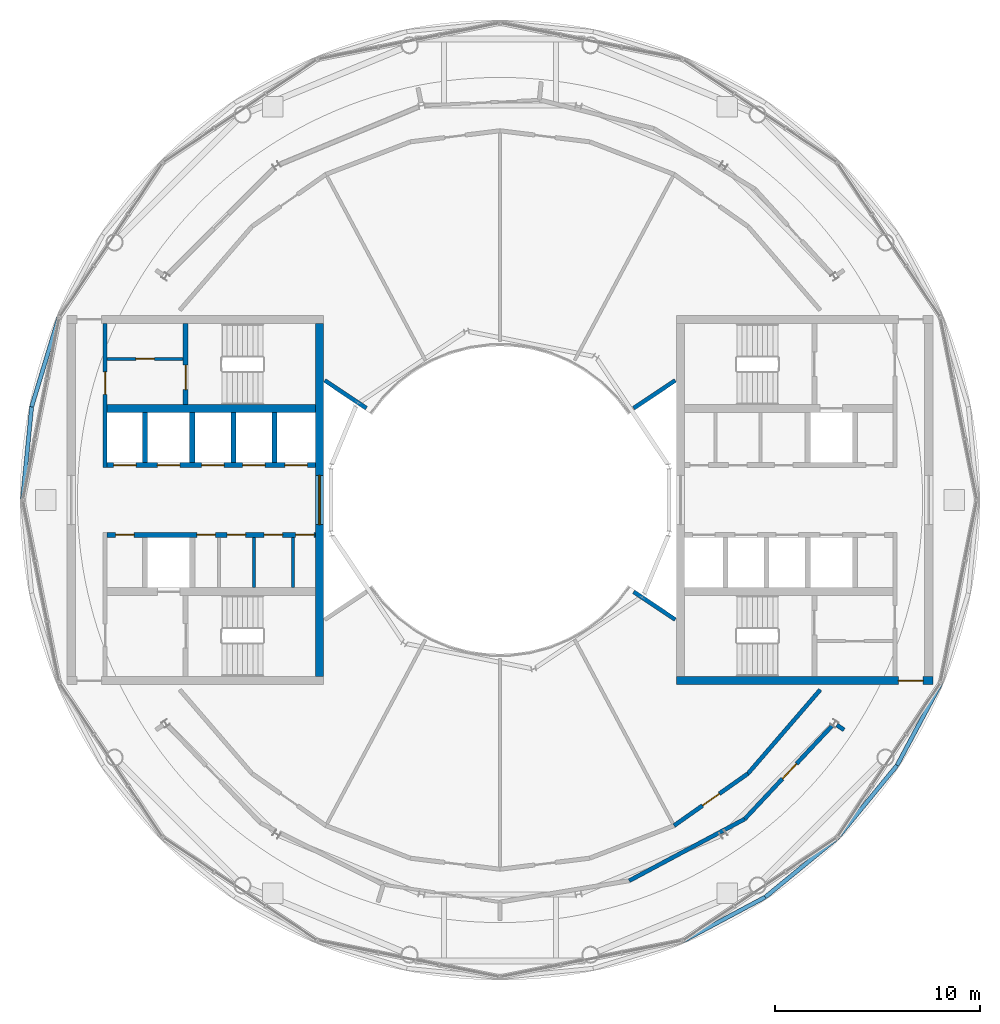
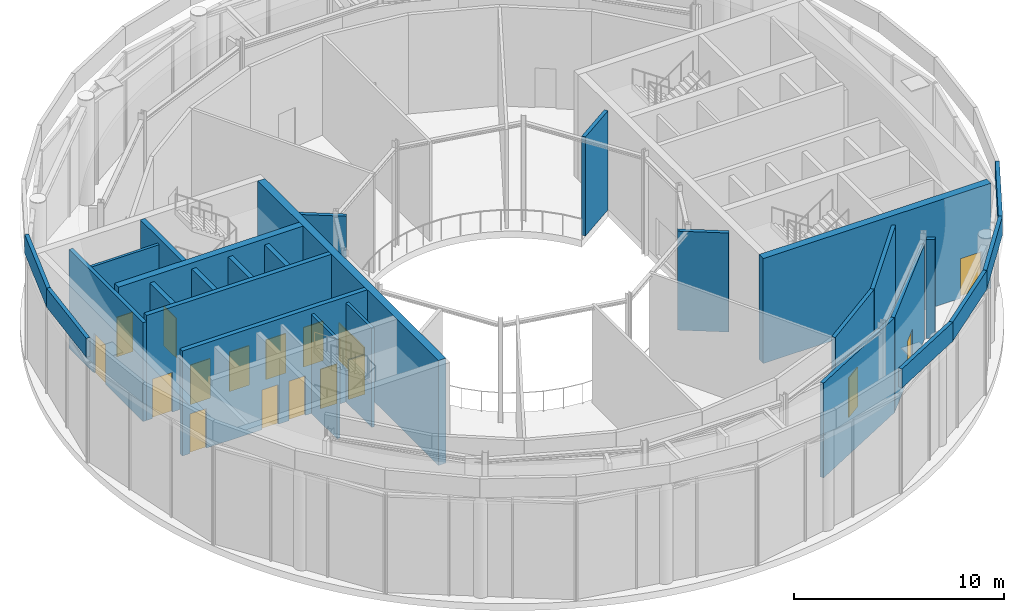
# One storey, part 12 of 20: 28 walls, 16 doors, 1 window, 17 openings.
"""IFC4 building model written with IfcOpenShell, lengths in metres."""

from ifc_helpers import new_model, si_unit, direction, frame, frame_2d, origin, place, context, subcontext, project, spatial, rectangle, extrude, material, layer, layer_set, type_object, element, fill, save


model = new_model("IFC4")

# Units and contexts
model_context = context("Model", 3, precision=1e-05, world=origin(), true_north=direction((0.0, 1.0)))
body_context = subcontext(model_context, "Body", "Model", "MODEL_VIEW")
ifc_project = project(units=[si_unit("LENGTHUNIT", "METRE"), si_unit("AREAUNIT", "SQUARE_METRE"), si_unit("VOLUMEUNIT", "CUBIC_METRE"), si_unit("PLANEANGLEUNIT", "RADIAN"), si_unit("MASSUNIT", "GRAM", prefix="KILO")], contexts=[model_context])

# Site, building, storey
site_placement = place(None, origin())
site = spatial("IfcSite", under=ifc_project, at=site_placement, CompositionType="ELEMENT")
building_placement = place(site_placement, origin())
building = spatial("IfcBuilding", under=site, at=building_placement, Name="Maasbend Ring Residences", CompositionType="ELEMENT")
storey_placement = place(building_placement, frame((0.0, 0.0, 255.39990234375)))
storey = spatial("IfcBuildingStorey", under=building, at=storey_placement, Name="L74", CompositionType="ELEMENT", Elevation=255.39990234375)

# Wall, openings, doors
ifc_material_1 = material(Name="Concrete C50/60", Category="concrete")
ifc_layer_1 = layer(ifc_material_1, 0.25)
ifc_layer_set_1 = layer_set([ifc_layer_1], Name="Concrete C50/60")
wall_type_1 = type_object("IfcWallType", Name="CORE WALL 250 C50/60", PredefinedType="SHEAR", material=ifc_layer_set_1)
wall_1_placement = place(storey_placement, frame((-9.0, -1.699951171875, 0.0), z_axis=(0.0, 0.0, 1.0), x_axis=(-1.0, 0.0, 0.0)))
wall_1 = element("IfcWall", 1, at=wall_1_placement, inside=storey, type_object=wall_type_1, Name="L74 core W wall SPN", PredefinedType="SHEAR", context=body_context, shape_type="SweptSolid", body=[
    extrude(rectangle(XDim=10.14990234375, YDim=0.25, at=frame_2d((5.074951171875, 0.0))), origin(), (0.0, 0.0, 1.0), 6.10009765625),
])
opening_1_placement = place(wall_1_placement, frame((0.0625, 0.0, 0.0)))
opening_1 = element("IfcOpeningElement", 2, at=opening_1_placement, cuts=wall_1, Name="Opening D-W7407", PredefinedType="OPENING", context=body_context, shape_type="SweptSolid", body=[
    extrude(rectangle(XDim=0.89990234375, YDim=2.300048828125, at=frame_2d((0.449951171875, 1.14990234375))), frame((0.0, 0.135009765625, 0.0), z_axis=(0.0, -1.0, 0.0), x_axis=(1.0, 0.0, 0.0)), (0.0, 0.0, 1.0), 0.27001953125),
])
opening_2_placement = place(wall_1_placement, frame((1.60009765625, 0.0, 0.0)))
opening_2 = element("IfcOpeningElement", 3, at=opening_2_placement, cuts=wall_1, Name="Opening D-W7408", PredefinedType="OPENING", context=body_context, shape_type="SweptSolid", body=[
    extrude(rectangle(XDim=0.89990234375, YDim=2.300048828125, at=frame_2d((0.449951171875, 1.14990234375))), frame((0.0, 0.135009765625, 0.0), z_axis=(0.0, -1.0, 0.0), x_axis=(1.0, 0.0, 0.0)), (0.0, 0.0, 1.0), 0.27001953125),
])
opening_3_placement = place(wall_1_placement, frame((3.39990234375, 0.0, 0.0)))
opening_3 = element("IfcOpeningElement", 4, at=opening_3_placement, cuts=wall_1, Name="Opening D-W7409", PredefinedType="OPENING", context=body_context, shape_type="SweptSolid", body=[
    extrude(rectangle(XDim=0.89990234375, YDim=2.300048828125, at=frame_2d((0.449951171875, 1.14990234375))), frame((0.0, 0.135009765625, 0.0), z_axis=(0.0, -1.0, 0.0), x_axis=(1.0, 0.0, 0.0)), (0.0, 0.0, 1.0), 0.27001953125),
])
opening_4_placement = place(wall_1_placement, frame((4.875, 0.0, 0.0)))
opening_4 = element("IfcOpeningElement", 5, at=opening_4_placement, cuts=wall_1, Name="Opening D-W7410", PredefinedType="OPENING", context=body_context, shape_type="SweptSolid", body=[
    extrude(rectangle(XDim=0.89990234375, YDim=2.300048828125, at=frame_2d((0.449951171875, 1.14990234375))), frame((0.0, 0.135009765625, 0.0), z_axis=(0.0, -1.0, 0.0), x_axis=(1.0, 0.0, 0.0)), (0.0, 0.0, 1.0), 0.27001953125),
])
opening_5_placement = place(wall_1_placement, frame((8.83740234375, 0.0, 0.0)))
opening_5 = element("IfcOpeningElement", 6, at=opening_5_placement, cuts=wall_1, Name="Opening D-W7411", PredefinedType="OPENING", context=body_context, shape_type="SweptSolid", body=[
    extrude(rectangle(XDim=0.89990234375, YDim=2.300048828125, at=frame_2d((0.449951171875, 1.14990234375))), frame((0.0, 0.135009765625, 0.0), z_axis=(0.0, -1.0, 0.0), x_axis=(1.0, 0.0, 0.0)), (0.0, 0.0, 1.0), 0.27001953125),
])
ifc_material_2 = material(Name="Steel, powder coated", Category="steel")
door_type_1 = type_object("IfcDoorType", Name="ROOM DOOR 900 X 2300 FD30S", OperationType="NOTDEFINED", PredefinedType="DOOR", material=ifc_material_2)
door_1_placement = place(opening_1_placement, origin())
door_1 = element("IfcDoor", 7, at=door_1_placement, inside=storey, type_object=door_type_1, Name="Room door L74", OperationType="SINGLE_SWING_RIGHT", OverallHeight=2.300048828125, OverallWidth=0.89990234375, PredefinedType="DOOR", context=body_context, shape_type="SweptSolid", body=[
    extrude(rectangle(XDim=0.89990234375, YDim=2.300048828125, at=frame_2d((0.449951171875, 1.14990234375))), frame((0.0, 0.02490234375, 0.0), z_axis=(0.0, -1.0, 0.0), x_axis=(1.0, 0.0, 0.0)), (0.0, 0.0, 1.0), 0.050048828125),
])
fill(opening_1, door_1)
door_2_placement = place(opening_2_placement, origin())
door_2 = element("IfcDoor", 8, at=door_2_placement, inside=storey, type_object=door_type_1, Name="Room door L74", OperationType="SINGLE_SWING_RIGHT", OverallHeight=2.300048828125, OverallWidth=0.89990234375, PredefinedType="DOOR", context=body_context, shape_type="SweptSolid", body=[
    extrude(rectangle(XDim=0.89990234375, YDim=2.300048828125, at=frame_2d((0.449951171875, 1.14990234375))), frame((0.0, 0.02490234375, 0.0), z_axis=(0.0, -1.0, 0.0), x_axis=(1.0, 0.0, 0.0)), (0.0, 0.0, 1.0), 0.050048828125),
])
fill(opening_2, door_2)
door_3_placement = place(opening_3_placement, origin())
door_3 = element("IfcDoor", 9, at=door_3_placement, inside=storey, type_object=door_type_1, Name="Room door L74", OperationType="SINGLE_SWING_RIGHT", OverallHeight=2.300048828125, OverallWidth=0.89990234375, PredefinedType="DOOR", context=body_context, shape_type="SweptSolid", body=[
    extrude(rectangle(XDim=0.89990234375, YDim=2.300048828125, at=frame_2d((0.449951171875, 1.14990234375))), frame((0.0, 0.02490234375, 0.0), z_axis=(0.0, -1.0, 0.0), x_axis=(1.0, 0.0, 0.0)), (0.0, 0.0, 1.0), 0.050048828125),
])
fill(opening_3, door_3)
door_4_placement = place(opening_4_placement, origin())
door_4 = element("IfcDoor", 10, at=door_4_placement, inside=storey, type_object=door_type_1, Name="Room door L74", OperationType="SINGLE_SWING_LEFT", OverallHeight=2.300048828125, OverallWidth=0.89990234375, PredefinedType="DOOR", context=body_context, shape_type="SweptSolid", body=[
    extrude(rectangle(XDim=0.89990234375, YDim=2.300048828125, at=frame_2d((0.449951171875, 1.14990234375))), frame((0.0, 0.02490234375, 0.0), z_axis=(0.0, -1.0, 0.0), x_axis=(1.0, 0.0, 0.0)), (0.0, 0.0, 1.0), 0.050048828125),
])
fill(opening_4, door_4)
door_5_placement = place(opening_5_placement, origin())
door_5 = element("IfcDoor", 11, at=door_5_placement, inside=storey, type_object=door_type_1, Name="Room door L74", OperationType="SINGLE_SWING_LEFT", OverallHeight=2.300048828125, OverallWidth=0.89990234375, PredefinedType="DOOR", context=body_context, shape_type="SweptSolid", body=[
    extrude(rectangle(XDim=0.89990234375, YDim=2.300048828125, at=frame_2d((0.449951171875, 1.14990234375))), frame((0.0, 0.02490234375, 0.0), z_axis=(0.0, -1.0, 0.0), x_axis=(1.0, 0.0, 0.0)), (0.0, 0.0, 1.0), 0.050048828125),
])
fill(opening_5, door_5)

wall_2_placement = place(storey_placement, frame((-9.0, 1.699951171875, 0.0), z_axis=(0.0, 0.0, 1.0), x_axis=(-1.0, 0.0, 0.0)))
wall_2 = element("IfcWall", 12, at=wall_2_placement, inside=storey, type_object=wall_type_1, Name="L74 core W wall SPS", PredefinedType="SHEAR", context=body_context, shape_type="SweptSolid", body=[
    extrude(rectangle(XDim=10.14990234375, YDim=0.25, at=frame_2d((5.074951171875, 0.0))), origin(), (0.0, 0.0, 1.0), 6.10009765625),
])
opening_6_placement = place(wall_2_placement, frame((0.387451171875, 0.0, 0.0)))
opening_6 = element("IfcOpeningElement", 13, at=opening_6_placement, cuts=wall_2, Name="Opening LD-W7402", PredefinedType="OPENING", context=body_context, shape_type="SweptSolid", body=[
    extrude(rectangle(XDim=1.10009765625, YDim=2.300048828125, at=frame_2d((0.550048828125, 1.14990234375))), frame((0.0, 0.135009765625, 0.0), z_axis=(0.0, -1.0, 0.0), x_axis=(1.0, 0.0, 0.0)), (0.0, 0.0, 1.0), 0.27001953125),
])
opening_7_placement = place(wall_2_placement, frame((2.449951171875, 0.0, 0.0)))
opening_7 = element("IfcOpeningElement", 14, at=opening_7_placement, cuts=wall_2, Name="Opening LD-W7403", PredefinedType="OPENING", context=body_context, shape_type="SweptSolid", body=[
    extrude(rectangle(XDim=1.10009765625, YDim=2.300048828125, at=frame_2d((0.550048828125, 1.14990234375))), frame((0.0, 0.135009765625, 0.0), z_axis=(0.0, -1.0, 0.0), x_axis=(1.0, 0.0, 0.0)), (0.0, 0.0, 1.0), 0.27001953125),
])
opening_8_placement = place(wall_2_placement, frame((4.449951171875, 0.0, 0.0)))
opening_8 = element("IfcOpeningElement", 15, at=opening_8_placement, cuts=wall_2, Name="Opening LD-W7404", PredefinedType="OPENING", context=body_context, shape_type="SweptSolid", body=[
    extrude(rectangle(XDim=1.10009765625, YDim=2.300048828125, at=frame_2d((0.550048828125, 1.14990234375))), frame((0.0, 0.135009765625, 0.0), z_axis=(0.0, -1.0, 0.0), x_axis=(1.0, 0.0, 0.0)), (0.0, 0.0, 1.0), 0.27001953125),
])
opening_9_placement = place(wall_2_placement, frame((6.60009765625, 0.0, 0.0)))
opening_9 = element("IfcOpeningElement", 16, at=opening_9_placement, cuts=wall_2, Name="Opening LD-W7405", PredefinedType="OPENING", context=body_context, shape_type="SweptSolid", body=[
    extrude(rectangle(XDim=1.10009765625, YDim=2.300048828125, at=frame_2d((0.550048828125, 1.14990234375))), frame((0.0, 0.135009765625, 0.0), z_axis=(0.0, -1.0, 0.0), x_axis=(1.0, 0.0, 0.0)), (0.0, 0.0, 1.0), 0.27001953125),
])
opening_10_placement = place(wall_2_placement, frame((8.737548828125, 0.0, 0.0)))
opening_10 = element("IfcOpeningElement", 17, at=opening_10_placement, cuts=wall_2, Name="Opening LD-W7406", PredefinedType="OPENING", context=body_context, shape_type="SweptSolid", body=[
    extrude(rectangle(XDim=1.10009765625, YDim=2.300048828125, at=frame_2d((0.550048828125, 1.14990234375))), frame((0.0, 0.135009765625, 0.0), z_axis=(0.0, -1.0, 0.0), x_axis=(1.0, 0.0, 0.0)), (0.0, 0.0, 1.0), 0.27001953125),
])
ifc_material_3 = material(Name="Stainless steel 316", Category="steel")
door_type_2 = type_object("IfcDoorType", Name="LANDING DOOR 1100 X 2300 FD60", OperationType="DOUBLE_DOOR_SLIDING", PredefinedType="DOOR", material=ifc_material_3)
door_6_placement = place(opening_6_placement, origin())
door_6 = element("IfcDoor", 18, at=door_6_placement, inside=storey, type_object=door_type_2, Name="Landing door HR-W1 L74", OperationType="DOUBLE_DOOR_SLIDING", OverallHeight=2.300048828125, OverallWidth=1.10009765625, PredefinedType="DOOR", context=body_context, shape_type="SweptSolid", body=[
    extrude(rectangle(XDim=1.10009765625, YDim=2.300048828125, at=frame_2d((0.550048828125, 1.14990234375))), frame((0.0, 0.02490234375, 0.0), z_axis=(0.0, -1.0, 0.0), x_axis=(1.0, 0.0, 0.0)), (0.0, 0.0, 1.0), 0.050048828125),
])
fill(opening_6, door_6)
door_7_placement = place(opening_7_placement, origin())
door_7 = element("IfcDoor", 19, at=door_7_placement, inside=storey, type_object=door_type_2, Name="Landing door HR-W2 L74", OperationType="DOUBLE_DOOR_SLIDING", OverallHeight=2.300048828125, OverallWidth=1.10009765625, PredefinedType="DOOR", context=body_context, shape_type="SweptSolid", body=[
    extrude(rectangle(XDim=1.10009765625, YDim=2.300048828125, at=frame_2d((0.550048828125, 1.14990234375))), frame((0.0, 0.02490234375, 0.0), z_axis=(0.0, -1.0, 0.0), x_axis=(1.0, 0.0, 0.0)), (0.0, 0.0, 1.0), 0.050048828125),
])
fill(opening_7, door_7)
door_8_placement = place(opening_8_placement, origin())
door_8 = element("IfcDoor", 20, at=door_8_placement, inside=storey, type_object=door_type_2, Name="Landing door HR-W3 L74", OperationType="DOUBLE_DOOR_SLIDING", OverallHeight=2.300048828125, OverallWidth=1.10009765625, PredefinedType="DOOR", context=body_context, shape_type="SweptSolid", body=[
    extrude(rectangle(XDim=1.10009765625, YDim=2.300048828125, at=frame_2d((0.550048828125, 1.14990234375))), frame((0.0, 0.02490234375, 0.0), z_axis=(0.0, -1.0, 0.0), x_axis=(1.0, 0.0, 0.0)), (0.0, 0.0, 1.0), 0.050048828125),
])
fill(opening_8, door_8)
door_9_placement = place(opening_9_placement, origin())
door_9 = element("IfcDoor", 21, at=door_9_placement, inside=storey, type_object=door_type_2, Name="Landing door SV-W L74", OperationType="DOUBLE_DOOR_SLIDING", OverallHeight=2.300048828125, OverallWidth=1.10009765625, PredefinedType="DOOR", context=body_context, shape_type="SweptSolid", body=[
    extrude(rectangle(XDim=1.10009765625, YDim=2.300048828125, at=frame_2d((0.550048828125, 1.14990234375))), frame((0.0, 0.02490234375, 0.0), z_axis=(0.0, -1.0, 0.0), x_axis=(1.0, 0.0, 0.0)), (0.0, 0.0, 1.0), 0.050048828125),
])
fill(opening_9, door_9)
door_10_placement = place(opening_10_placement, origin())
door_10 = element("IfcDoor", 22, at=door_10_placement, inside=storey, type_object=door_type_2, Name="Landing door OB-W L74", OperationType="DOUBLE_DOOR_SLIDING", OverallHeight=2.300048828125, OverallWidth=1.10009765625, PredefinedType="DOOR", context=body_context, shape_type="SweptSolid", body=[
    extrude(rectangle(XDim=1.10009765625, YDim=2.300048828125, at=frame_2d((0.550048828125, 1.14990234375))), frame((0.0, 0.02490234375, 0.0), z_axis=(0.0, -1.0, 0.0), x_axis=(1.0, 0.0, 0.0)), (0.0, 0.0, 1.0), 0.050048828125),
])
fill(opening_10, door_10)

# Wall, opening, door
wall_3_placement = place(storey_placement, frame((-15.324951171875, 8.60009765625, 0.0), z_axis=(0.0, 0.0, 1.0), x_axis=(0.0, -1.0, 0.0)))
wall_3 = element("IfcWall", 23, at=wall_3_placement, inside=storey, type_object=wall_type_1, Name="L74 core W wall STES", PredefinedType="SHEAR", context=body_context, shape_type="SweptSolid", body=[
    extrude(rectangle(XDim=3.9501953125, YDim=0.25, at=frame_2d((1.97509765625, 0.0))), origin(), (0.0, 0.0, 1.0), 6.10009765625),
])
opening_11_placement = place(wall_3_placement, frame((2.02490234375, 0.0, 0.0)))
opening_11 = element("IfcOpeningElement", 24, at=opening_11_placement, cuts=wall_3, Name="Opening D-W7414", PredefinedType="OPENING", context=body_context, shape_type="SweptSolid", body=[
    extrude(rectangle(XDim=1.199951171875, YDim=2.300048828125, at=frame_2d((0.60009765625, 1.14990234375))), frame((0.0, 0.135009765625, 0.0), z_axis=(0.0, -1.0, 0.0), x_axis=(1.0, 0.0, 0.0)), (0.0, 0.0, 1.0), 0.27001953125),
])
ifc_material_4 = material(Name="Steel, powder coated", Category="steel")
door_type_3 = type_object("IfcDoorType", Name="STAIR DOOR 1200 X 2300 FD60", OperationType="NOTDEFINED", PredefinedType="DOOR", material=ifc_material_4)
door_11_placement = place(opening_11_placement, origin())
door_11 = element("IfcDoor", 25, at=door_11_placement, inside=storey, type_object=door_type_3, Name="Stair door ST-W L74", OperationType="SINGLE_SWING_LEFT", OverallHeight=2.300048828125, OverallWidth=1.199951171875, PredefinedType="DOOR", context=body_context, shape_type="SweptSolid", body=[
    extrude(rectangle(XDim=1.199951171875, YDim=2.300048828125, at=frame_2d((0.60009765625, 1.14990234375))), frame((0.0, 0.02490234375, 0.0), z_axis=(0.0, -1.0, 0.0), x_axis=(1.0, 0.0, 0.0)), (0.0, 0.0, 1.0), 0.050048828125),
])
fill(opening_11, door_11)

# Wall
ifc_material_5 = material(Name="Concrete C50/60", Category="concrete")
ifc_layer_2 = layer(ifc_material_5, 0.375)
ifc_layer_set_2 = layer_set([ifc_layer_2], Name="Concrete C50/60")
wall_type_2 = type_object("IfcWallType", Name="CORE WALL 375 C50/60", PredefinedType="SHEAR", material=ifc_layer_set_2)
wall_4_placement = place(storey_placement, frame((-9.0, 4.46240234375, 0.0), z_axis=(0.0, 0.0, 1.0), x_axis=(-1.0, 0.0, 0.0)))
element("IfcWall", 26, at=wall_4_placement, inside=storey, type_object=wall_type_2, Name="L74 core W wall BS", PredefinedType="SHEAR", context=body_context, shape_type="SweptSolid", body=[
    extrude(rectangle(XDim=10.14990234375, YDim=0.375, at=frame_2d((5.074951171875, 0.0))), origin(), (0.0, 0.0, 1.0), 6.10009765625),
])

# Wall, opening, door
ifc_material_6 = material(Name="Concrete C50/60", Category="concrete")
ifc_layer_3 = layer(ifc_material_6, 0.39990234375)
ifc_layer_set_3 = layer_set([ifc_layer_3], Name="Concrete C50/60")
wall_type_3 = type_object("IfcWallType", Name="CORE WALL 400 C50/60", PredefinedType="SHEAR", material=ifc_layer_set_3)
wall_5_placement = place(storey_placement, frame((8.60009765625, -8.800048828125, 0.0), z_axis=(0.0, 0.0, 1.0), x_axis=(1.0, 0.0, 0.0)))
wall_5 = element("IfcWall", 27, at=wall_5_placement, inside=storey, type_object=wall_type_3, Name="L74 core E wall PS", PredefinedType="SHEAR", context=body_context, shape_type="SweptSolid", body=[
    extrude(rectangle(XDim=12.5, YDim=0.39990234375, at=frame_2d((6.25, 0.0))), origin(), (0.0, 0.0, 1.0), 6.10009765625),
])
opening_12_placement = place(wall_5_placement, frame((10.824951171875, 0.0, 0.0)))
opening_12 = element("IfcOpeningElement", 28, at=opening_12_placement, cuts=wall_5, Name="Opening D-E7417", PredefinedType="OPENING", context=body_context, shape_type="SweptSolid", body=[
    extrude(rectangle(XDim=1.199951171875, YDim=2.300048828125, at=frame_2d((0.60009765625, 1.14990234375))), frame((0.0, 0.2099609375, 0.0), z_axis=(0.0, -1.0, 0.0), x_axis=(1.0, 0.0, 0.0)), (0.0, 0.0, 1.0), 0.419921875),
])
ifc_material_7 = material(Name="Steel, powder coated", Category="steel")
door_type_4 = type_object("IfcDoorType", Name="CORRIDOR DOOR 1200 X 2300 FD30S", OperationType="NOTDEFINED", PredefinedType="DOOR", material=ifc_material_7)
door_12_placement = place(opening_12_placement, origin())
door_12 = element("IfcDoor", 29, at=door_12_placement, inside=storey, type_object=door_type_4, Name="Corridor door L74", OperationType="SINGLE_SWING_LEFT", OverallHeight=2.300048828125, OverallWidth=1.199951171875, PredefinedType="DOOR", context=body_context, shape_type="SweptSolid", body=[
    extrude(rectangle(XDim=1.199951171875, YDim=2.300048828125, at=frame_2d((0.60009765625, 1.14990234375))), frame((0.0, 0.02490234375, 0.0), z_axis=(0.0, -1.0, 0.0), x_axis=(1.0, 0.0, 0.0)), (0.0, 0.0, 1.0), 0.050048828125),
])
fill(opening_12, door_12)

# Wall, opening, window
wall_6_placement = place(storey_placement, frame((-8.800048828125, 8.60009765625, 0.0), z_axis=(0.0, 0.0, 1.0), x_axis=(0.0, -1.0, 0.0)))
wall_6 = element("IfcWall", 30, at=wall_6_placement, inside=storey, type_object=wall_type_3, Name="L74 core W wall PIN", PredefinedType="SHEAR", context=body_context, shape_type="SweptSolid", body=[
    extrude(rectangle(XDim=17.2001953125, YDim=0.39990234375, at=frame_2d((8.60009765625, 0.0))), origin(), (0.0, 0.0, 1.0), 6.10009765625),
])
opening_13_placement = place(wall_6_placement, frame((7.39990234375, 0.0, 0.10009765625)))
opening_13 = element("IfcOpeningElement", 31, at=opening_13_placement, cuts=wall_6, Name="Opening W-W7401", PredefinedType="OPENING", context=body_context, shape_type="SweptSolid", body=[
    extrude(rectangle(XDim=2.39990234375, YDim=2.199951171875, at=frame_2d((1.199951171875, 1.10009765625))), frame((0.0, 0.2099609375, 0.0), z_axis=(0.0, -1.0, 0.0), x_axis=(1.0, 0.0, 0.0)), (0.0, 0.0, 1.0), 0.419921875),
])
ifc_material_8 = material(Name="Aluminium frame and clear glass", Category="aluminium")
window_type = type_object("IfcWindowType", Name="FIXED WINDOW 2400 X 2200", PartitioningType="SINGLE_PANEL", PredefinedType="WINDOW", material=ifc_material_8)
window_placement = place(opening_13_placement, origin())
window = element("IfcWindow", 32, at=window_placement, inside=storey, type_object=window_type, Name="Lobby window L74", OverallHeight=2.199951171875, OverallWidth=2.39990234375, PartitioningType="SINGLE_PANEL", PredefinedType="WINDOW", context=body_context, shape_type="SweptSolid", body=[
    extrude(rectangle(XDim=2.39990234375, YDim=2.199951171875, at=frame_2d((1.199951171875, 1.10009765625))), frame((0.0, 0.030029296875, 0.0), z_axis=(0.0, -1.0, 0.0), x_axis=(1.0, 0.0, 0.0)), (0.0, 0.0, 1.0), 0.06005859375),
])
fill(opening_13, window)

# Wall
ifc_material_9 = material(Name="Concrete C30/37", Category="concrete")
ifc_layer_4 = layer(ifc_material_9, 0.199951171875)
ifc_layer_set_4 = layer_set([ifc_layer_4], Name="Concrete C30/37")
wall_type_4 = type_object("IfcWallType", Name="CORRIDOR WALL 200 CONCRETE", PredefinedType="PARTITIONING", material=ifc_layer_set_4)
wall_7_placement = place(storey_placement, frame((6.300048828125, -18.56005859375, 0.0), z_axis=(0.0, 0.0, 1.0), x_axis=(0.88193879345, 0.471363940716, 0.0)))
element("IfcWall", 33, at=wall_7_placement, inside=storey, type_object=wall_type_4, Name="U-L74-w003", PredefinedType="PARTITIONING", context=body_context, shape_type="SweptSolid", body=[
    extrude(rectangle(XDim=6.3857421875, YDim=0.199951171875, at=frame_2d((3.19287109375, 0.0))), origin(), (0.0, 0.0, 1.0), 5.5),
])

# Wall, opening, door
wall_8_placement = place(storey_placement, frame((11.931884765625, -15.550048828125, 0.0), z_axis=(0.0, 0.0, 1.0), x_axis=(0.683561939148, 0.729892509448, 0.0)))
wall_8 = element("IfcWall", 34, at=wall_8_placement, inside=storey, type_object=wall_type_4, Name="U-L74-w004", PredefinedType="PARTITIONING", context=body_context, shape_type="SweptSolid", body=[
    extrude(rectangle(XDim=6.23388671875, YDim=0.199951171875, at=frame_2d((3.116943359375, 0.0))), origin(), (0.0, 0.0, 1.0), 5.5),
])
opening_14_placement = place(wall_8_placement, frame((2.693115234375, 0.0, 0.0)))
opening_14 = element("IfcOpeningElement", 35, at=opening_14_placement, cuts=wall_8, Name="Opening D-7410", PredefinedType="OPENING", context=body_context, shape_type="SweptSolid", body=[
    extrude(rectangle(XDim=1.0, YDim=2.300048828125, at=frame_2d((0.5, 1.14990234375))), frame((0.0, 0.10986328125, 0.0), z_axis=(0.0, -1.0, 0.0), x_axis=(1.0, 0.0, 0.0)), (0.0, 0.0, 1.0), 0.219970703125),
])
ifc_material_10 = material(Name="Timber, painted", Category="wood")
door_type_5 = type_object("IfcDoorType", Name="ROOM DOOR 1000 X 2300", OperationType="NOTDEFINED", PredefinedType="DOOR", material=ifc_material_10)
door_13_placement = place(opening_14_placement, origin())
door_13 = element("IfcDoor", 36, at=door_13_placement, inside=storey, type_object=door_type_5, Name="D-7410", OperationType="SINGLE_SWING_RIGHT", OverallHeight=2.300048828125, OverallWidth=1.0, PredefinedType="DOOR", context=body_context, shape_type="SweptSolid", body=[
    extrude(rectangle(XDim=1.0, YDim=2.300048828125, at=frame_2d((0.5, 1.14990234375))), frame((0.0, 0.02490234375, 0.0), z_axis=(0.0, -1.0, 0.0), x_axis=(1.0, 0.0, 0.0)), (0.0, 0.0, 1.0), 0.050048828125),
])
fill(opening_14, door_13)

wall_9_placement = place(storey_placement, frame((8.485107421875, -15.875, 0.0), z_axis=(0.0, 0.0, 1.0), x_axis=(0.817507922666, 0.575917352038, 0.0)))
wall_9 = element("IfcWall", 37, at=wall_9_placement, inside=storey, type_object=wall_type_4, Name="U-L74-w014", PredefinedType="PARTITIONING", context=body_context, shape_type="SweptSolid", body=[
    extrude(rectangle(XDim=4.406982421875, YDim=0.199951171875, at=frame_2d((2.20361328125, 0.0))), origin(), (0.0, 0.0, 1.0), 5.75),
])
opening_15_placement = place(wall_9_placement, frame((1.7041015625, 0.0, 0.0)))
opening_15 = element("IfcOpeningElement", 38, at=opening_15_placement, cuts=wall_9, Name="Opening D-7414", PredefinedType="OPENING", context=body_context, shape_type="SweptSolid", body=[
    extrude(rectangle(XDim=1.0, YDim=2.300048828125, at=frame_2d((0.5, 1.14990234375))), frame((0.0, 0.10986328125, 0.0), z_axis=(0.0, -1.0, 0.0), x_axis=(1.0, 0.0, 0.0)), (0.0, 0.0, 1.0), 0.219970703125),
])
door_14_placement = place(opening_15_placement, origin())
door_14 = element("IfcDoor", 39, at=door_14_placement, inside=storey, type_object=door_type_5, Name="D-7414", OperationType="SINGLE_SWING_RIGHT", OverallHeight=2.300048828125, OverallWidth=1.0, PredefinedType="DOOR", context=body_context, shape_type="SweptSolid", body=[
    extrude(rectangle(XDim=1.0, YDim=2.300048828125, at=frame_2d((0.5, 1.14990234375))), frame((0.0, 0.02490234375, 0.0), z_axis=(0.0, -1.0, 0.0), x_axis=(1.0, 0.0, 0.0)), (0.0, 0.0, 1.0), 0.050048828125),
])
fill(opening_15, door_14)

# Walls
wall_10_placement = place(storey_placement, frame((12.087890625, -13.3369140625, 0.0), z_axis=(0.0, 0.0, 1.0), x_axis=(0.653146301984, 0.757231740093, 0.0)))
element("IfcWall", 40, at=wall_10_placement, inside=storey, type_object=wall_type_4, Name="U-L74-w015", PredefinedType="PARTITIONING", context=body_context, shape_type="SweptSolid", body=[
    extrude(rectangle(XDim=5.397216796875, YDim=0.199951171875, at=frame_2d((2.69873046875, 0.0))), origin(), (0.0, 0.0, 1.0), 5.75),
])
wall_11_placement = place(storey_placement, frame((16.422119140625, -10.971923828125, 0.0), z_axis=(0.0, 0.0, 1.0), x_axis=(0.831067539056, -0.556171507296, 0.0)))
element("IfcWall", 41, at=wall_11_placement, inside=storey, type_object=wall_type_4, Name="U-L74-w030", PredefinedType="PARTITIONING", context=body_context, shape_type="SweptSolid", body=[
    extrude(rectangle(XDim=0.4208984375, YDim=0.199951171875, at=frame_2d((0.21044921875, 0.0))), origin(), (0.0, 0.0, 1.0), 5.75),
])
ifc_material_11 = material(Name="Gypsum board on steel studs", Category="steel")
ifc_layer_5 = layer(ifc_material_11, 0.14990234375)
ifc_layer_set_5 = layer_set([ifc_layer_5], Name="PARTITION 150 EI 60")
wall_type_5 = type_object("IfcWallType", Name="PARTITION 150 EI 60", PredefinedType="PARTITIONING", material=ifc_layer_set_5)
for number, where, z_axis, x_axis, name in (
    (42, (-10.10009765625, -1.824951171875, 0.0), (0.0, 0.0, 1.0), (0.0, -1.0, 0.0), "L74 core W wall PRN1010"),
    (43, (-12.0, -1.824951171875, 0.0), (0.0, 0.0, 1.0), (0.0, -1.0, 0.0), "L74 core W wall PRN1200"),
):
    element("IfcWall", number, at=place(storey_placement, frame(where, z_axis=z_axis, x_axis=x_axis)), inside=storey, type_object=wall_type_5, Name=name, PredefinedType="PARTITIONING", context=body_context, shape_type="SweptSolid", body=[
        extrude(rectangle(XDim=2.449951171875, YDim=0.14990234375, at=frame_2d((1.22509765625, 0.0))), origin(), (0.0, 0.0, 1.0), 5.75),
    ])

# Wall, opening, door
wall_12_placement = place(storey_placement, frame((-15.449951171875, 6.875, 0.0), z_axis=(0.0, 0.0, 1.0), x_axis=(-1.0, 0.0, 0.0)))
wall_12 = element("IfcWall", 44, at=wall_12_placement, inside=storey, type_object=wall_type_5, Name="L74 core W wall RHS", PredefinedType="PARTITIONING", context=body_context, shape_type="SweptSolid", body=[
    extrude(rectangle(XDim=3.699951171875, YDim=0.14990234375, at=frame_2d((1.85009765625, 0.0))), origin(), (0.0, 0.0, 1.0), 5.75),
])
opening_16_placement = place(wall_12_placement, frame((1.39990234375, 0.0, 0.0)))
opening_16 = element("IfcOpeningElement", 45, at=opening_16_placement, cuts=wall_12, Name="Opening D-W7412", PredefinedType="OPENING", context=body_context, shape_type="SweptSolid", body=[
    extrude(rectangle(XDim=0.89990234375, YDim=2.300048828125, at=frame_2d((0.449951171875, 1.14990234375))), frame((0.0, 0.0849609375, 0.0), z_axis=(0.0, -1.0, 0.0), x_axis=(1.0, 0.0, 0.0)), (0.0, 0.0, 1.0), 0.169921875),
])
ifc_material_12 = material(Name="Steel, powder coated", Category="steel")
door_type_6 = type_object("IfcDoorType", Name="RISER DOOR 900 X 2300 FD60", OperationType="NOTDEFINED", PredefinedType="DOOR", material=ifc_material_12)
door_15_placement = place(opening_16_placement, origin())
door_15 = element("IfcDoor", 46, at=door_15_placement, inside=storey, type_object=door_type_6, Name="Riser door L74", OperationType="SINGLE_SWING_LEFT", OverallHeight=2.300048828125, OverallWidth=0.89990234375, PredefinedType="DOOR", context=body_context, shape_type="SweptSolid", body=[
    extrude(rectangle(XDim=0.89990234375, YDim=2.300048828125, at=frame_2d((0.449951171875, 1.14990234375))), frame((0.0, 0.02490234375, 0.0), z_axis=(0.0, -1.0, 0.0), x_axis=(1.0, 0.0, 0.0)), (0.0, 0.0, 1.0), 0.050048828125),
])
fill(opening_16, door_15)

# Walls
ifc_material_13 = material(Name="Concrete C30/37", Category="concrete")
ifc_layer_6 = layer(ifc_material_13, 0.199951171875)
ifc_layer_set_6 = layer_set([ifc_layer_6], Name="Concrete C30/37")
wall_type_6 = type_object("IfcWallType", Name="PARTY WALL 200 CONCRETE", PredefinedType="PARTITIONING", material=ifc_layer_set_6)
for number, where, z_axis, x_axis, name in (
    (47, (6.512939453125, -4.471923828125, 0.0), (0.0, 0.0, 1.0), (0.831450132577, -0.555599385382, 0.0), "U-L74-w017"),
    (48, (-6.512939453125, 4.471923828125, 0.0), (0.0, 0.0, 1.0), (-0.831450132577, 0.555599385382, 0.0), "U-L74-w032"),
    (49, (6.512939453125, 4.471923828125, 0.0), (0.0, 0.0, 1.0), (0.831450132577, 0.555599385382, 0.0), "U-L74-w033"),
):
    element("IfcWall", number, at=place(storey_placement, frame(where, z_axis=z_axis, x_axis=x_axis)), inside=storey, type_object=wall_type_6, Name=name, PredefinedType="PARTITIONING", context=body_context, shape_type="SweptSolid", body=[
        extrude(rectangle(XDim=2.442626953125, YDim=0.199951171875, at=frame_2d((1.22119140625, 0.0))), origin(), (0.0, 0.0, 1.0), 5.75),
    ])

# Wall, opening, door
ifc_material_14 = material(Name="Concrete C30/37", Category="concrete")
ifc_layer_7 = layer(ifc_material_14, 0.199951171875)
ifc_layer_set_7 = layer_set([ifc_layer_7], Name="Concrete C30/37")
wall_type_7 = type_object("IfcWallType", Name="SHAFT WALL 200 EI 120", PredefinedType="SOLIDWALL", material=ifc_layer_set_7)
wall_13_placement = place(storey_placement, frame((-19.25, 8.60009765625, 0.0), z_axis=(0.0, 0.0, 1.0), x_axis=(0.0, -1.0, 0.0)))
wall_13 = element("IfcWall", 50, at=wall_13_placement, inside=storey, type_object=wall_type_7, Name="L74 core W wall ENDS", PredefinedType="SOLIDWALL", context=body_context, shape_type="SweptSolid", body=[
    extrude(rectangle(XDim=7.025146484375, YDim=0.199951171875, at=frame_2d((3.5126953125, 0.0))), origin(), (0.0, 0.0, 1.0), 5.75),
])
opening_17_placement = place(wall_13_placement, frame((2.35009765625, 0.0, 0.0)))
opening_17 = element("IfcOpeningElement", 51, at=opening_17_placement, cuts=wall_13, Name="Opening D-W7416", PredefinedType="OPENING", context=body_context, shape_type="SweptSolid", body=[
    extrude(rectangle(XDim=1.10009765625, YDim=2.300048828125, at=frame_2d((0.550048828125, 1.14990234375))), frame((0.0, 0.10986328125, 0.0), z_axis=(0.0, -1.0, 0.0), x_axis=(1.0, 0.0, 0.0)), (0.0, 0.0, 1.0), 0.219970703125),
])
ifc_material_15 = material(Name="Steel, powder coated", Category="steel")
door_type_7 = type_object("IfcDoorType", Name="LOBBY DOOR 1100 X 2300 FD60", OperationType="NOTDEFINED", PredefinedType="DOOR", material=ifc_material_15)
door_16_placement = place(opening_17_placement, origin())
door_16 = element("IfcDoor", 52, at=door_16_placement, inside=storey, type_object=door_type_7, Name="Lobby door L74", OperationType="SINGLE_SWING_RIGHT", OverallHeight=2.300048828125, OverallWidth=1.10009765625, PredefinedType="DOOR", context=body_context, shape_type="SweptSolid", body=[
    extrude(rectangle(XDim=1.10009765625, YDim=2.300048828125, at=frame_2d((0.550048828125, 1.14990234375))), frame((0.0, 0.02490234375, 0.0), z_axis=(0.0, -1.0, 0.0), x_axis=(1.0, 0.0, 0.0)), (0.0, 0.0, 1.0), 0.050048828125),
])
fill(opening_17, door_16)

# Walls
ifc_material_16 = material(Name="Concrete C30/37", Category="concrete")
ifc_layer_8 = layer(ifc_material_16, 0.25)
ifc_layer_set_8 = layer_set([ifc_layer_8], Name="Concrete C30/37")
wall_type_8 = type_object("IfcWallType", Name="SHAFT WALL 250 EI 120", PredefinedType="SOLIDWALL", material=ifc_layer_set_8)
for number, where, z_axis, x_axis, name in (
    (53, (-15.0, 1.824951171875, 0.0), (0.0, 0.0, 1.0), (0.0, 1.0, 0.0), "L74 core W wall D150S"),
    (54, (-17.300048828125, 1.824951171875, 0.0), (0.0, 0.0, 1.0), (0.0, 1.0, 0.0), "L74 core W wall D173S"),
    (55, (-11.0, 1.824951171875, 0.0), (0.0, 0.0, 1.0), (0.0, 1.0, 0.0), "L74 core W wall D110S"),
    (56, (-13.0, 1.824951171875, 0.0), (0.0, 0.0, 1.0), (0.0, 1.0, 0.0), "L74 core W wall D130S"),
):
    element("IfcWall", number, at=place(storey_placement, frame(where, z_axis=z_axis, x_axis=x_axis)), inside=storey, type_object=wall_type_8, Name=name, PredefinedType="SOLIDWALL", context=body_context, shape_type="SweptSolid", body=[
        extrude(rectangle(XDim=2.449951171875, YDim=0.25, at=frame_2d((1.22509765625, 0.0))), origin(), (0.0, 0.0, 1.0), 5.75),
    ])
ifc_material_17 = material(Name="Pale anodised aluminium panel", Category="aluminium")
ifc_layer_9 = layer(ifc_material_17, 0.199951171875)
ifc_layer_set_9 = layer_set([ifc_layer_9], Name="WALL-PARAPET")
wall_type_9 = type_object("IfcWallType", Name="WALL-PARAPET", PredefinedType="PARAPET", material=ifc_layer_set_9)
wall_14_placement = place(storey_placement, frame((-21.508056640625, 8.908935546875, 6.10009765625), z_axis=(0.0, 0.0, 1.0), x_axis=(-0.29033552242, -0.956924910545, 0.0)))
element("IfcWall", 57, at=wall_14_placement, inside=storey, type_object=wall_type_9, Name="Roof parapet 15", PredefinedType="PARAPET", context=body_context, shape_type="SweptSolid", body=[
    extrude(rectangle(XDim=4.5634765625, YDim=0.199951171875, at=frame_2d((2.28173828125, 0.0))), origin(), (0.0, 0.0, 1.0), 1.10009765625),
])
for number, where, z_axis, x_axis, name in (
    (58, (-22.8330078125, 4.5419921875, 6.10009765625), (0.0, 0.0, 1.0), (-0.097946461831, -0.995191685363, 0.0), "Roof parapet 16"),
    (59, (8.908935546875, -21.508056640625, 6.10009765625), (0.0, 0.0, 1.0), (0.881954289711, 0.471334945511, 0.0), "Roof parapet 27"),
):
    element("IfcWall", number, at=place(storey_placement, frame(where, z_axis=z_axis, x_axis=x_axis)), inside=storey, type_object=wall_type_9, Name=name, PredefinedType="PARAPET", context=body_context, shape_type="SweptSolid", body=[
        extrude(rectangle(XDim=4.56396484375, YDim=0.199951171875, at=frame_2d((2.281982421875, 0.0))), origin(), (0.0, 0.0, 1.0), 1.10009765625),
    ])
for number, where, z_axis, x_axis, name in (
    (60, (12.93408203125, -19.35693359375, 6.10009765625), (0.0, 0.0, 1.0), (0.772840573317, 0.6346002271, 0.0), "Roof parapet 28"),
    (61, (16.4609375, -16.4609375, 6.10009765625), (0.0, 0.0, 1.0), (0.6346002271, 0.772840573317, 0.0), "Roof parapet 29"),
):
    element("IfcWall", number, at=place(storey_placement, frame(where, z_axis=z_axis, x_axis=x_axis)), inside=storey, type_object=wall_type_9, Name=name, PredefinedType="PARAPET", context=body_context, shape_type="SweptSolid", body=[
        extrude(rectangle(XDim=4.5634765625, YDim=0.199951171875, at=frame_2d((2.28173828125, 0.0))), origin(), (0.0, 0.0, 1.0), 1.10009765625),
    ])
wall_15_placement = place(storey_placement, frame((19.35693359375, -12.93408203125, 6.10009765625), z_axis=(0.0, 0.0, 1.0), x_axis=(0.471334945511, 0.881954289711, 0.0)))
element("IfcWall", 62, at=wall_15_placement, inside=storey, type_object=wall_type_9, Name="Roof parapet 30", PredefinedType="PARAPET", context=body_context, shape_type="SweptSolid", body=[
    extrude(rectangle(XDim=4.56396484375, YDim=0.199951171875, at=frame_2d((2.281982421875, 0.0))), origin(), (0.0, 0.0, 1.0), 1.10009765625),
])

save(model, "model.ifc")
